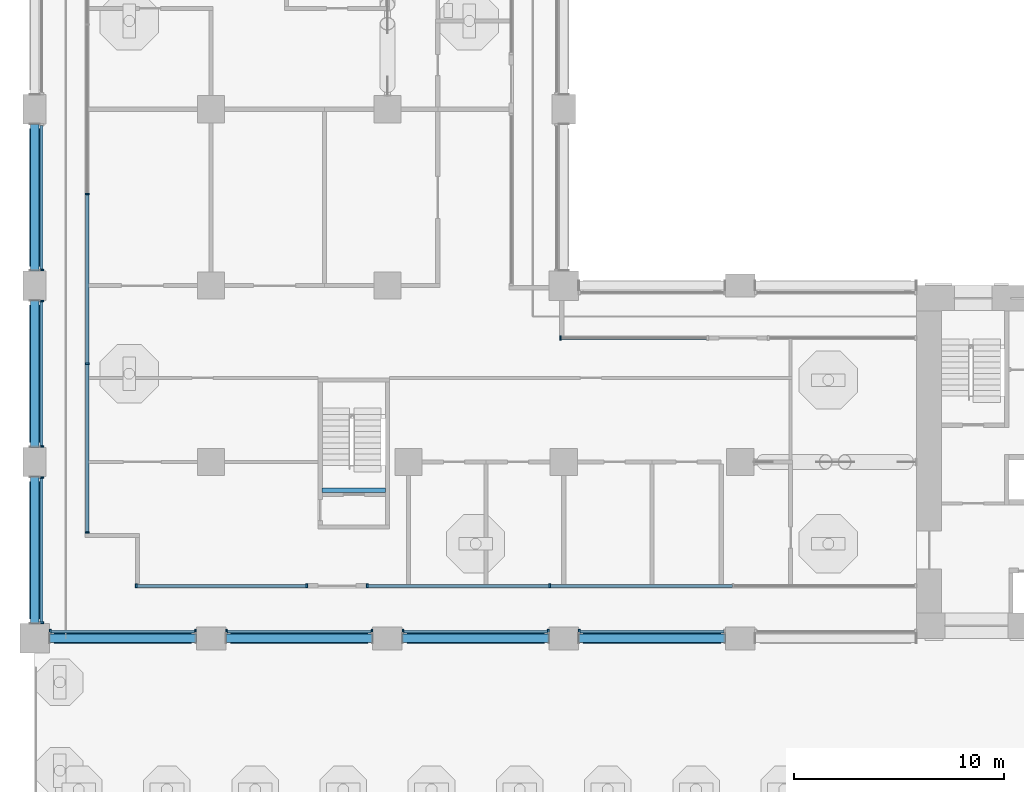
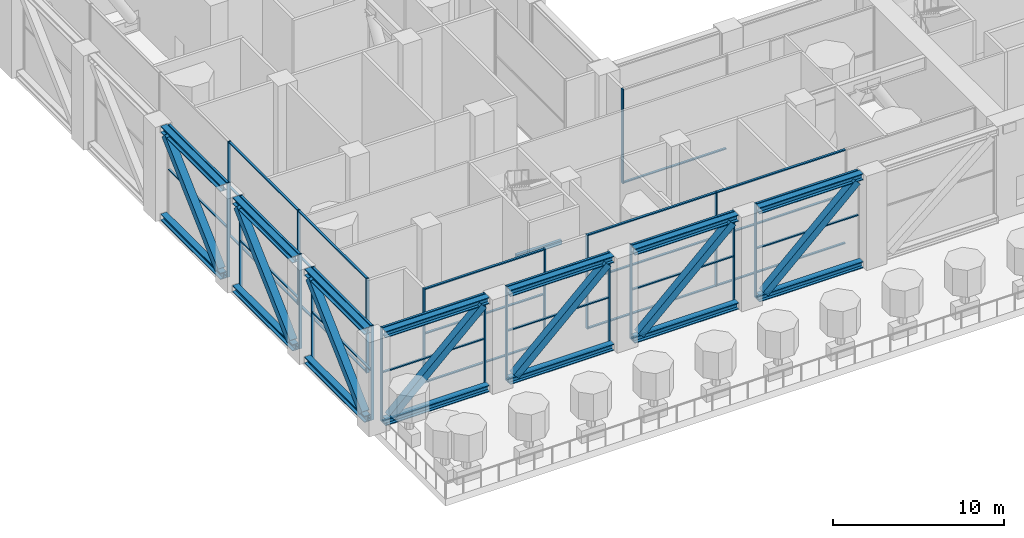
# One storey, part 2 of 28: 78 members, 1 beam, 11 elements without a shape of their own.
"""IFC4 building model written with IfcOpenShell, lengths in metres."""

import ifcopenshell
import ifcopenshell.guid

model = None  # the IFC model being written
_history = None  # IfcOwnerHistory: only IFC2X3 demands one
_inside = {}  # id of a spatial element -> (the spatial element, [elements in it])
_under = {}  # id of a project, library or spatial element -> (it, [spatial elements below it])
_declared = {}  # id of a project -> (the project, [libraries it declares])
_typed = {}  # id of a type object -> (the type object, [elements of that type])
_made_of = {}  # id of a material, layer set ... -> (it, [elements and type objects made of it])


def new_model(schema):
    """Start an empty IFC model of exactly this schema.

    Asked for "IFC4X3", IfcOpenShell would pick the latest addendum, in which some entities
    have other attributes; the version numbers below select the first issue.
    IFC2X3 requires an IfcOwnerHistory on every rooted entity: one is made here for all.
    """
    global model, _history
    if schema == "IFC4X3":
        model = ifcopenshell.file(schema_version=(4, 3, 0, 0))
    else:
        model = ifcopenshell.file(schema=schema)
    _inside.clear()
    _under.clear()
    _declared.clear()
    _typed.clear()
    _made_of.clear()
    _history = None
    if model.schema == "IFC2X3":
        org = make("IfcOrganization", Name="unknown")
        user = make(
            "IfcPersonAndOrganization",
            ThePerson=make("IfcPerson", FamilyName="unknown"),
            TheOrganization=org,
        )
        app = make(
            "IfcApplication",
            ApplicationDeveloper=org,
            Version="unknown",
            ApplicationFullName="unknown",
            ApplicationIdentifier="unknown",
        )
        _history = make(
            "IfcOwnerHistory",
            OwningUser=user,
            OwningApplication=app,
            ChangeAction="ADDED",
            CreationDate=0,
        )
    return model


def make(cls, **values):
    """One entity of the class cls with the attributes given. An attribute that is None is left unset."""
    return model.create_entity(
        cls, **{name: value for name, value in values.items() if value is not None}
    )


def rooted(cls, **values):
    """An entity with a GlobalId (a new one), such as an element, a storey or a relation."""
    return make(cls, GlobalId=ifcopenshell.guid.new(), OwnerHistory=_history, **values)


def si_unit(unit_type, name, prefix=None):
    """IfcSIUnit, for example si_unit("LENGTHUNIT", "METRE", prefix="MILLI")."""
    return make("IfcSIUnit", UnitType=unit_type, Prefix=prefix, Name=name)


def assignment(units):
    """IfcUnitAssignment: the units of a project."""
    return None if units is None else make("IfcUnitAssignment", Units=units)


def point(xyz):
    """IfcCartesianPoint."""
    return None if xyz is None else make("IfcCartesianPoint", Coordinates=xyz)


def direction(xyz):
    """IfcDirection."""
    return None if xyz is None else make("IfcDirection", DirectionRatios=xyz)


def frame(location, z_axis=None, x_axis=None):
    """IfcAxis2Placement3D, a coordinate frame: its origin and axes. An axis left out is left unset."""
    return make(
        "IfcAxis2Placement3D",
        Location=point(location),
        Axis=direction(z_axis),
        RefDirection=direction(x_axis),
    )


def frame_2d(location, x_axis=None):
    """IfcAxis2Placement2D, a coordinate frame in the plane: its origin and x axis."""
    return make(
        "IfcAxis2Placement2D", Location=point(location), RefDirection=direction(x_axis)
    )


def origin():
    """The frame at (0, 0, 0) with its axes left unset."""
    return frame((0.0, 0.0, 0.0))


def origin_2d():
    """The frame at (0, 0) in the plane with its x axis left unset."""
    return frame_2d((0.0, 0.0))


def place(relative_to, where):
    """IfcLocalPlacement: puts the frame where relative to a parent placement (None: the world)."""
    return make(
        "IfcLocalPlacement", PlacementRelTo=relative_to, RelativePlacement=where
    )


def context(
    kind, dimensions, precision=None, world=None, true_north=None, identifier=None
):
    """IfcGeometricRepresentationContext, for example the 3D "Model" context."""
    return make(
        "IfcGeometricRepresentationContext",
        ContextIdentifier=identifier,
        ContextType=kind,
        CoordinateSpaceDimension=dimensions,
        Precision=precision,
        WorldCoordinateSystem=world,
        TrueNorth=true_north,
    )


def subcontext(parent, identifier, kind, view, scale=None):
    """IfcGeometricRepresentationSubContext, for example "Body" below "Model"."""
    return make(
        "IfcGeometricRepresentationSubContext",
        ContextIdentifier=identifier,
        ContextType=kind,
        ParentContext=parent,
        TargetScale=scale,
        TargetView=view,
    )


def project(units=None, contexts=None):
    """IfcProject with its units and contexts."""
    return rooted(
        "IfcProject",
        Name="project",
        RepresentationContexts=contexts,
        UnitsInContext=assignment(units),
    )


def spatial(cls, under=None, at=None, **own):
    """A site, building, storey or space (cls), placed at a placement, below another one or the project."""
    s = rooted(cls, ObjectPlacement=at, **own)
    if under is not None:
        _under.setdefault(under.id(), (under, []))[1].append(s)
    return s


def profile(cls, at=None, kind="AREA", **sizes):
    """A parametric profile (cls). Its sizes go by their IFC names, for example OverallWidth=200.0."""
    return make(cls, ProfileType=kind, Position=at, **sizes)


def rectangle(**sizes):
    """IfcRectangleProfileDef."""
    return profile("IfcRectangleProfileDef", **sizes)


def hollow_rectangle(**sizes):
    """IfcRectangleHollowProfileDef."""
    return profile("IfcRectangleHollowProfileDef", **sizes)


def i_section(**sizes):
    """IfcIShapeProfileDef."""
    return profile("IfcIShapeProfileDef", **sizes)


def extrude(swept, where, along, depth):
    """IfcExtrudedAreaSolid: the profile swept, set in the frame where, extruded along a direction by depth."""
    return make(
        "IfcExtrudedAreaSolid",
        SweptArea=swept,
        Position=where,
        ExtrudedDirection=direction(along),
        Depth=depth,
    )


def shape(context_of_items, identifier, shape_type, items):
    """IfcShapeRepresentation: the items that make up one representation, for example the "Body"."""
    return make(
        "IfcShapeRepresentation",
        ContextOfItems=context_of_items,
        RepresentationIdentifier=identifier,
        RepresentationType=shape_type,
        Items=items,
    )


def material(Name=None, Category=None):
    """IfcMaterial."""
    return make("IfcMaterial", Name=Name, Category=Category)


def material_profile(
    of_material, cross_section, Name=None, Category=None, Priority=None
):
    """IfcMaterialProfile: a cross section and its material."""
    return make(
        "IfcMaterialProfile",
        Name=Name,
        Material=of_material,
        Profile=cross_section,
        Priority=Priority,
        Category=Category,
    )


def profile_set(profiles, Name=None, composite=None):
    """IfcMaterialProfileSet."""
    return make(
        "IfcMaterialProfileSet",
        Name=Name,
        MaterialProfiles=profiles,
        CompositeProfile=composite,
    )


def made_of(thing, what):
    """Note that an element or type object is made of a material, layer set ...; save() writes the relation."""
    if what is not None:
        _made_of.setdefault(what.id(), (what, []))[1].append(thing)
    return thing


def type_object(cls, material=None, **own):
    """A type object (cls), such as IfcWallType, which elements share."""
    return made_of(rooted(cls, **own), material)


def element(
    cls,
    number,
    at=None,
    inside=None,
    cuts=None,
    type_object=None,
    material=None,
    context=None,
    identifier="Body",
    shape_type=None,
    held_by="IfcProductDefinitionShape",
    body=None,
    shapes=None,
    **own,
):
    """One element of the class cls, such as IfcWall. Its Tag is "e" and its number.

    at: its placement. inside: the storey or other place that contains it. cuts: it is an
    opening in that element (IfcRelVoidsElement). A single representation is given by context,
    identifier, shape_type and body (its items); several are given by shapes. held_by: the class
    of the entity that holds the representations. save() writes the other relations.
    """
    e = rooted(cls, Tag="e%d" % number, ObjectPlacement=at, **own)
    if body is not None:
        shapes = [shape(context, identifier, shape_type, body)]
    if shapes is not None:
        e.Representation = make(held_by, Representations=shapes)
    if inside is not None:
        _inside.setdefault(inside.id(), (inside, []))[1].append(e)
    if cuts is not None:
        rooted(
            "IfcRelVoidsElement", RelatingBuildingElement=cuts, RelatedOpeningElement=e
        )
    if type_object is not None:
        _typed.setdefault(type_object.id(), (type_object, []))[1].append(e)
    return made_of(e, material)


def aggregate(whole, parts):
    """IfcRelAggregates: a whole, such as a stair, and the parts it consists of."""
    return rooted("IfcRelAggregates", RelatingObject=whole, RelatedObjects=parts)


def save(model, path):
    """Write the relations noted so far, then the file.

    IfcRelAggregates (storeys below a building ...), IfcRelContainedInSpatialStructure (elements
    in a storey), IfcRelDefinesByType, IfcRelAssociatesMaterial and IfcRelDeclares: one each for
    every whole, place, type object, material and project.
    """
    for whole, parts in _under.values():
        aggregate(whole, parts)
    for where, things in _inside.values():
        rooted(
            "IfcRelContainedInSpatialStructure",
            RelatedElements=things,
            RelatingStructure=where,
        )
    for kind, things in _typed.values():
        rooted("IfcRelDefinesByType", RelatedObjects=things, RelatingType=kind)
    for what, things in _made_of.values():
        rooted("IfcRelAssociatesMaterial", RelatedObjects=things, RelatingMaterial=what)
    for by, libraries in _declared.values():
        rooted("IfcRelDeclares", RelatingContext=by, RelatedDefinitions=libraries)
    model.write(path)


model = new_model("IFC4")

# Units and contexts
model_context = context("Model", 3, precision=1e-05, world=origin(), true_north=direction((0.0, 1.0)))
body_context = subcontext(model_context, "Body", "Model", "MODEL_VIEW")
ifc_project = project(units=[si_unit("LENGTHUNIT", "METRE"), si_unit("AREAUNIT", "SQUARE_METRE"), si_unit("VOLUMEUNIT", "CUBIC_METRE"), si_unit("PLANEANGLEUNIT", "RADIAN"), si_unit("MASSUNIT", "GRAM", prefix="KILO")], contexts=[model_context])

# Site, building, storey
site_placement = place(None, origin())
site = spatial("IfcSite", under=ifc_project, at=site_placement, CompositionType="ELEMENT")
building_placement = place(site_placement, origin())
building = spatial("IfcBuilding", under=site, at=building_placement, Name="Vermilion Gate Residences", CompositionType="ELEMENT")
storey_placement = place(building_placement, frame((0.0, 0.0, 74.199951171875)))
storey = spatial("IfcBuildingStorey", under=building, at=storey_placement, Name="L18", CompositionType="ELEMENT", Elevation=74.199951171875)

# Beam
ifc_material_1 = material(Name="Concrete C50", Category="concrete")
ifc_material_profile_1 = material_profile(ifc_material_1, rectangle(XDim=0.199951171875, YDim=0.300048828125, at=origin_2d()), Name="RC-200x300")
ifc_profile_set_1 = profile_set([ifc_material_profile_1], Name="Concrete C50")
beam_type = type_object("IfcBeamType", Name="RC LANDING BEAM 200 X 300 C50", PredefinedType="BEAM", material=ifc_profile_set_1)
beam_placement = place(storey_placement, frame((13.679931640625, 15.449951171875, 3.150146484375), z_axis=(1.0, 0.0, 0.0), x_axis=(0.0, 1.0, 0.0)))
element("IfcBeam", 1, at=beam_placement, inside=storey, type_object=beam_type, Name="Landing beam STC1-18 2", PredefinedType="BEAM", context=body_context, shape_type="SweptSolid", body=[
    extrude(rectangle(XDim=0.199951171875, YDim=0.300048828125, at=origin_2d()), origin(), (0.0, 0.0, 1.0), 3.0400390625),
])

# Curtain wall, members
ifc_material_2 = material(Name="Aluminium and glass", Category="aluminium")
curtain_wall_type = type_object("IfcCurtainWallType", Name="SKY GARDEN GLAZING CURTAIN WALL", PredefinedType="NOTDEFINED", material=ifc_material_2)
curtain_wall_1_placement = place(storey_placement, origin())
curtain_wall_1 = element("IfcCurtainWall", 2, at=curtain_wall_1_placement, inside=storey, type_object=curtain_wall_type, Name="Sky Garden Glazing 30", PredefinedType="NOTDEFINED")
ifc_material_3 = material(Name="Aluminium", Category="aluminium")
ifc_material_profile_2 = material_profile(ifc_material_3, rectangle(XDim=0.199951171875, YDim=0.080078125, at=origin_2d()), Name="MULLION 80 X 200")
ifc_profile_set_2 = profile_set([ifc_material_profile_2], Name="Aluminium")
member_type_1 = type_object("IfcMemberType", Name="SKY GARDEN GLAZING MULLION 80 X 200", PredefinedType="MULLION", material=ifc_profile_set_2)
member_1_placement = place(storey_placement, frame((2.5, 29.56005859375, 0.0), z_axis=(0.0, 0.0, 1.0), x_axis=(1.0, 0.0, 0.0)))
member_1 = element("IfcMember", 3, at=member_1_placement, type_object=member_type_1, Name="ECW3 mullion 4", PredefinedType="MULLION", context=body_context, shape_type="SweptSolid", body=[
    extrude(rectangle(XDim=0.199951171875, YDim=0.080078125, at=origin_2d()), origin(), (0.0, 0.0, 1.0), 6.719970703125),
])
member_2_placement = place(storey_placement, frame((2.5, 21.47998046875, 0.0), z_axis=(0.0, 0.0, 1.0), x_axis=(1.0, 0.0, 0.0)))
member_2 = element("IfcMember", 4, at=member_2_placement, type_object=member_type_1, Name="ECW3 mullion 5", PredefinedType="MULLION", context=body_context, shape_type="SweptSolid", body=[
    extrude(rectangle(XDim=0.199951171875, YDim=0.080078125, at=origin_2d()), origin(), (0.0, 0.0, 1.0), 6.719970703125),
])
member_3_placement = place(storey_placement, frame((2.5, 13.43994140625, 0.0), z_axis=(0.0, 0.0, 1.0), x_axis=(1.0, 0.0, 0.0)))
member_3 = element("IfcMember", 5, at=member_3_placement, type_object=member_type_1, Name="ECW3 mullion 6", PredefinedType="MULLION", context=body_context, shape_type="SweptSolid", body=[
    extrude(rectangle(XDim=0.199951171875, YDim=0.080078125, at=origin_2d()), origin(), (0.0, 0.0, 1.0), 6.719970703125),
])

curtain_wall_2_placement = place(storey_placement, origin())
curtain_wall_2 = element("IfcCurtainWall", 6, at=curtain_wall_2_placement, inside=storey, type_object=curtain_wall_type, Name="Sky Garden Glazing 60", PredefinedType="NOTDEFINED")
member_4_placement = place(storey_placement, frame((4.840087890625, 10.89990234375, 0.0), z_axis=(0.0, 0.0, 1.0), x_axis=(0.0, 1.0, 0.0)))
member_4 = element("IfcMember", 7, at=member_4_placement, type_object=member_type_1, Name="ECW3 mullion 1", PredefinedType="MULLION", context=body_context, shape_type="SweptSolid", body=[
    extrude(rectangle(XDim=0.199951171875, YDim=0.080078125, at=origin_2d()), origin(), (0.0, 0.0, 1.0), 6.719970703125),
])
member_5_placement = place(storey_placement, frame((12.9599609375, 10.89990234375, 0.0), z_axis=(0.0, 0.0, 1.0), x_axis=(0.0, 1.0, 0.0)))
member_5 = element("IfcMember", 8, at=member_5_placement, type_object=member_type_1, Name="ECW3 mullion 2", PredefinedType="MULLION", context=body_context, shape_type="SweptSolid", body=[
    extrude(rectangle(XDim=0.199951171875, YDim=0.080078125, at=origin_2d()), origin(), (0.0, 0.0, 1.0), 6.719970703125),
])

curtain_wall_3_placement = place(storey_placement, origin())
curtain_wall_3 = element("IfcCurtainWall", 9, at=curtain_wall_3_placement, inside=storey, type_object=curtain_wall_type, Name="Sky Garden Glazing 62", PredefinedType="NOTDEFINED")
member_6_placement = place(storey_placement, frame((15.840087890625, 10.89990234375, 0.0), z_axis=(0.0, 0.0, 1.0), x_axis=(0.0, 1.0, 0.0)))
member_6 = element("IfcMember", 10, at=member_6_placement, type_object=member_type_1, Name="ECW3 mullion 1", PredefinedType="MULLION", context=body_context, shape_type="SweptSolid", body=[
    extrude(rectangle(XDim=0.199951171875, YDim=0.080078125, at=origin_2d()), origin(), (0.0, 0.0, 1.0), 6.719970703125),
])
member_7_placement = place(storey_placement, frame((24.533447265625, 10.89990234375, 0.0), z_axis=(0.0, 0.0, 1.0), x_axis=(0.0, 1.0, 0.0)))
member_7 = element("IfcMember", 11, at=member_7_placement, type_object=member_type_1, Name="ECW3 mullion 2", PredefinedType="MULLION", context=body_context, shape_type="SweptSolid", body=[
    extrude(rectangle(XDim=0.199951171875, YDim=0.080078125, at=origin_2d()), origin(), (0.0, 0.0, 1.0), 6.719970703125),
])

# Curtain wall, member
curtain_wall_4_placement = place(storey_placement, origin())
curtain_wall_4 = element("IfcCurtainWall", 12, at=curtain_wall_4_placement, inside=storey, type_object=curtain_wall_type, Name="Sky Garden Glazing 142", PredefinedType="NOTDEFINED")
member_8_placement = place(storey_placement, frame((25.0400390625, 22.699951171875, 0.0), z_axis=(0.0, 0.0, 1.0), x_axis=(0.0, -1.0, 0.0)))
member_8 = element("IfcMember", 13, at=member_8_placement, type_object=member_type_1, Name="ECW3 mullion 2", PredefinedType="MULLION", context=body_context, shape_type="SweptSolid", body=[
    extrude(rectangle(XDim=0.199951171875, YDim=0.080078125, at=origin_2d()), origin(), (0.0, 0.0, 1.0), 6.719970703125),
])

curtain_wall_5_placement = place(storey_placement, origin())
curtain_wall_5 = element("IfcCurtainWall", 14, at=curtain_wall_5_placement, inside=storey, type_object=curtain_wall_type, Name="Sky Garden Glazing 503", PredefinedType="NOTDEFINED")
member_9_placement = place(storey_placement, frame((0.330078125, 25.93994140625, 0.0), z_axis=(0.0, 0.0, 1.0), x_axis=(1.0, 0.0, 0.0)))
member_9 = element("IfcMember", 15, at=member_9_placement, type_object=member_type_1, Name="ECW3 mullion 2", PredefinedType="MULLION", context=body_context, shape_type="SweptSolid", body=[
    extrude(rectangle(XDim=0.199951171875, YDim=0.080078125, at=origin_2d()), origin(), (0.0, 0.0, 1.0), 6.719970703125),
])

# Curtain wall, members
curtain_wall_6_placement = place(storey_placement, origin())
curtain_wall_6 = element("IfcCurtainWall", 16, at=curtain_wall_6_placement, inside=storey, type_object=curtain_wall_type, Name="Sky Garden Glazing 504", PredefinedType="NOTDEFINED")
member_10_placement = place(storey_placement, frame((0.330078125, 24.4599609375, 0.0), z_axis=(0.0, 0.0, 1.0), x_axis=(1.0, 0.0, 0.0)))
member_10 = element("IfcMember", 17, at=member_10_placement, type_object=member_type_1, Name="ECW3 mullion 1", PredefinedType="MULLION", context=body_context, shape_type="SweptSolid", body=[
    extrude(rectangle(XDim=0.199951171875, YDim=0.080078125, at=origin_2d()), origin(), (0.0, 0.0, 1.0), 6.719970703125),
])
member_11_placement = place(storey_placement, frame((0.330078125, 17.5400390625, 0.0), z_axis=(0.0, 0.0, 1.0), x_axis=(1.0, 0.0, 0.0)))
member_11 = element("IfcMember", 18, at=member_11_placement, type_object=member_type_1, Name="ECW3 mullion 2", PredefinedType="MULLION", context=body_context, shape_type="SweptSolid", body=[
    extrude(rectangle(XDim=0.199951171875, YDim=0.080078125, at=origin_2d()), origin(), (0.0, 0.0, 1.0), 6.719970703125),
])

curtain_wall_7_placement = place(storey_placement, origin())
curtain_wall_7 = element("IfcCurtainWall", 19, at=curtain_wall_7_placement, inside=storey, type_object=curtain_wall_type, Name="Sky Garden Glazing 505", PredefinedType="NOTDEFINED")
member_12_placement = place(storey_placement, frame((0.330078125, 16.06005859375, 0.0), z_axis=(0.0, 0.0, 1.0), x_axis=(1.0, 0.0, 0.0)))
member_12 = element("IfcMember", 20, at=member_12_placement, type_object=member_type_1, Name="ECW3 mullion 1", PredefinedType="MULLION", context=body_context, shape_type="SweptSolid", body=[
    extrude(rectangle(XDim=0.199951171875, YDim=0.080078125, at=origin_2d()), origin(), (0.0, 0.0, 1.0), 6.719970703125),
])
member_13_placement = place(storey_placement, frame((0.330078125, 9.139892578125, 0.0), z_axis=(0.0, 0.0, 1.0), x_axis=(1.0, 0.0, 0.0)))
member_13 = element("IfcMember", 21, at=member_13_placement, type_object=member_type_1, Name="ECW3 mullion 2", PredefinedType="MULLION", context=body_context, shape_type="SweptSolid", body=[
    extrude(rectangle(XDim=0.199951171875, YDim=0.080078125, at=origin_2d()), origin(), (0.0, 0.0, 1.0), 6.719970703125),
])

curtain_wall_8_placement = place(storey_placement, origin())
curtain_wall_8 = element("IfcCurtainWall", 22, at=curtain_wall_8_placement, inside=storey, type_object=curtain_wall_type, Name="Sky Garden Glazing 506", PredefinedType="NOTDEFINED")
member_14_placement = place(storey_placement, frame((0.739990234375, 8.72998046875, 0.0), z_axis=(0.0, 0.0, 1.0), x_axis=(0.0, 1.0, 0.0)))
member_14 = element("IfcMember", 23, at=member_14_placement, type_object=member_type_1, Name="ECW3 mullion 1", PredefinedType="MULLION", context=body_context, shape_type="SweptSolid", body=[
    extrude(rectangle(XDim=0.199951171875, YDim=0.080078125, at=origin_2d()), origin(), (0.0, 0.0, 1.0), 6.719970703125),
])
member_15_placement = place(storey_placement, frame((7.659912109375, 8.72998046875, 0.0), z_axis=(0.0, 0.0, 1.0), x_axis=(0.0, 1.0, 0.0)))
member_15 = element("IfcMember", 24, at=member_15_placement, type_object=member_type_1, Name="ECW3 mullion 2", PredefinedType="MULLION", context=body_context, shape_type="SweptSolid", body=[
    extrude(rectangle(XDim=0.199951171875, YDim=0.080078125, at=origin_2d()), origin(), (0.0, 0.0, 1.0), 6.719970703125),
])

curtain_wall_9_placement = place(storey_placement, origin())
curtain_wall_9 = element("IfcCurtainWall", 25, at=curtain_wall_9_placement, inside=storey, type_object=curtain_wall_type, Name="Sky Garden Glazing 507", PredefinedType="NOTDEFINED")
member_16_placement = place(storey_placement, frame((9.139892578125, 8.72998046875, 0.0), z_axis=(0.0, 0.0, 1.0), x_axis=(0.0, 1.0, 0.0)))
member_16 = element("IfcMember", 26, at=member_16_placement, type_object=member_type_1, Name="ECW3 mullion 1", PredefinedType="MULLION", context=body_context, shape_type="SweptSolid", body=[
    extrude(rectangle(XDim=0.199951171875, YDim=0.080078125, at=origin_2d()), origin(), (0.0, 0.0, 1.0), 6.719970703125),
])
member_17_placement = place(storey_placement, frame((16.06005859375, 8.72998046875, 0.0), z_axis=(0.0, 0.0, 1.0), x_axis=(0.0, 1.0, 0.0)))
member_17 = element("IfcMember", 27, at=member_17_placement, type_object=member_type_1, Name="ECW3 mullion 2", PredefinedType="MULLION", context=body_context, shape_type="SweptSolid", body=[
    extrude(rectangle(XDim=0.199951171875, YDim=0.080078125, at=origin_2d()), origin(), (0.0, 0.0, 1.0), 6.719970703125),
])

curtain_wall_10_placement = place(storey_placement, origin())
curtain_wall_10 = element("IfcCurtainWall", 28, at=curtain_wall_10_placement, inside=storey, type_object=curtain_wall_type, Name="Sky Garden Glazing 508", PredefinedType="NOTDEFINED")
member_18_placement = place(storey_placement, frame((17.5400390625, 8.72998046875, 0.0), z_axis=(0.0, 0.0, 1.0), x_axis=(0.0, 1.0, 0.0)))
member_18 = element("IfcMember", 29, at=member_18_placement, type_object=member_type_1, Name="ECW3 mullion 1", PredefinedType="MULLION", context=body_context, shape_type="SweptSolid", body=[
    extrude(rectangle(XDim=0.199951171875, YDim=0.080078125, at=origin_2d()), origin(), (0.0, 0.0, 1.0), 6.719970703125),
])
member_19_placement = place(storey_placement, frame((24.4599609375, 8.72998046875, 0.0), z_axis=(0.0, 0.0, 1.0), x_axis=(0.0, 1.0, 0.0)))
member_19 = element("IfcMember", 30, at=member_19_placement, type_object=member_type_1, Name="ECW3 mullion 2", PredefinedType="MULLION", context=body_context, shape_type="SweptSolid", body=[
    extrude(rectangle(XDim=0.199951171875, YDim=0.080078125, at=origin_2d()), origin(), (0.0, 0.0, 1.0), 6.719970703125),
])

# Curtain wall, member
curtain_wall_11_placement = place(storey_placement, origin())
curtain_wall_11 = element("IfcCurtainWall", 31, at=curtain_wall_11_placement, inside=storey, type_object=curtain_wall_type, Name="Sky Garden Glazing 509", PredefinedType="NOTDEFINED")
member_20_placement = place(storey_placement, frame((25.93994140625, 8.72998046875, 0.0), z_axis=(0.0, 0.0, 1.0), x_axis=(0.0, 1.0, 0.0)))
member_20 = element("IfcMember", 32, at=member_20_placement, type_object=member_type_1, Name="ECW3 mullion 1", PredefinedType="MULLION", context=body_context, shape_type="SweptSolid", body=[
    extrude(rectangle(XDim=0.199951171875, YDim=0.080078125, at=origin_2d()), origin(), (0.0, 0.0, 1.0), 6.719970703125),
])

# Member
ifc_material_4 = material(Name="Aluminium", Category="aluminium")
ifc_material_profile_3 = material_profile(ifc_material_4, rectangle(XDim=0.14990234375, YDim=0.080078125, at=origin_2d()), Name="TRANSOM 80 X 150")
ifc_profile_set_3 = profile_set([ifc_material_profile_3], Name="Aluminium")
member_type_2 = type_object("IfcMemberType", Name="SKY GARDEN GLAZING TRANSOM 80 X 150", PredefinedType="MULLION", material=ifc_profile_set_3)
member_21_placement = place(storey_placement, frame((2.5, 29.52001953125, 0.0400390625), z_axis=(0.0, -1.0, 0.0), x_axis=(1.0, 0.0, 0.0)))
member_21 = element("IfcMember", 33, at=member_21_placement, type_object=member_type_2, Name="ECW3 transom 4.1", PredefinedType="MULLION", context=body_context, shape_type="SweptSolid", body=[
    extrude(rectangle(XDim=0.14990234375, YDim=0.080078125, at=origin_2d()), origin(), (0.0, 0.0, 1.0), 8.0),
])

member_22_placement = place(storey_placement, frame((2.5, 29.52001953125, 3.5), z_axis=(0.0, -1.0, 0.0), x_axis=(1.0, 0.0, 0.0)))
member_22 = element("IfcMember", 34, at=member_22_placement, type_object=member_type_2, Name="ECW3 transom 4.2", PredefinedType="MULLION", context=body_context, shape_type="SweptSolid", body=[
    extrude(rectangle(XDim=0.14990234375, YDim=0.080078125, at=origin_2d()), origin(), (0.0, 0.0, 1.0), 8.0),
])

member_23_placement = place(storey_placement, frame((2.5, 29.52001953125, 6.679931640625), z_axis=(0.0, -1.0, 0.0), x_axis=(1.0, 0.0, 0.0)))
member_23 = element("IfcMember", 35, at=member_23_placement, type_object=member_type_2, Name="ECW3 transom 4.3", PredefinedType="MULLION", context=body_context, shape_type="SweptSolid", body=[
    extrude(rectangle(XDim=0.14990234375, YDim=0.080078125, at=origin_2d()), origin(), (0.0, 0.0, 1.0), 8.0),
])

member_24_placement = place(storey_placement, frame((2.5, 21.43994140625, 0.0400390625), z_axis=(0.0, -1.0, 0.0), x_axis=(1.0, 0.0, 0.0)))
member_24 = element("IfcMember", 36, at=member_24_placement, type_object=member_type_2, Name="ECW3 transom 5.1", PredefinedType="MULLION", context=body_context, shape_type="SweptSolid", body=[
    extrude(rectangle(XDim=0.14990234375, YDim=0.080078125, at=origin_2d()), origin(), (0.0, 0.0, 1.0), 7.9599609375),
])

member_25_placement = place(storey_placement, frame((2.5, 21.43994140625, 3.5), z_axis=(0.0, -1.0, 0.0), x_axis=(1.0, 0.0, 0.0)))
member_25 = element("IfcMember", 37, at=member_25_placement, type_object=member_type_2, Name="ECW3 transom 5.2", PredefinedType="MULLION", context=body_context, shape_type="SweptSolid", body=[
    extrude(rectangle(XDim=0.14990234375, YDim=0.080078125, at=origin_2d()), origin(), (0.0, 0.0, 1.0), 7.9599609375),
])

member_26_placement = place(storey_placement, frame((2.5, 21.43994140625, 6.679931640625), z_axis=(0.0, -1.0, 0.0), x_axis=(1.0, 0.0, 0.0)))
member_26 = element("IfcMember", 38, at=member_26_placement, type_object=member_type_2, Name="ECW3 transom 5.3", PredefinedType="MULLION", context=body_context, shape_type="SweptSolid", body=[
    extrude(rectangle(XDim=0.14990234375, YDim=0.080078125, at=origin_2d()), origin(), (0.0, 0.0, 1.0), 7.9599609375),
])

aggregate(curtain_wall_1, [member_1, member_2, member_3, member_21, member_22, member_23, member_24, member_25, member_26])

member_27_placement = place(storey_placement, frame((4.8798828125, 10.89990234375, 0.0400390625), z_axis=(1.0, 0.0, 0.0), x_axis=(0.0, 1.0, 0.0)))
member_27 = element("IfcMember", 39, at=member_27_placement, type_object=member_type_2, Name="ECW3 transom 1.1", PredefinedType="MULLION", context=body_context, shape_type="SweptSolid", body=[
    extrude(rectangle(XDim=0.14990234375, YDim=0.080078125, at=origin_2d()), origin(), (0.0, 0.0, 1.0), 8.0400390625),
])

member_28_placement = place(storey_placement, frame((4.8798828125, 10.89990234375, 3.5), z_axis=(1.0, 0.0, 0.0), x_axis=(0.0, 1.0, 0.0)))
member_28 = element("IfcMember", 40, at=member_28_placement, type_object=member_type_2, Name="ECW3 transom 1.2", PredefinedType="MULLION", context=body_context, shape_type="SweptSolid", body=[
    extrude(rectangle(XDim=0.14990234375, YDim=0.080078125, at=origin_2d()), origin(), (0.0, 0.0, 1.0), 8.0400390625),
])

member_29_placement = place(storey_placement, frame((4.8798828125, 10.89990234375, 6.679931640625), z_axis=(1.0, 0.0, 0.0), x_axis=(0.0, 1.0, 0.0)))
member_29 = element("IfcMember", 41, at=member_29_placement, type_object=member_type_2, Name="ECW3 transom 1.3", PredefinedType="MULLION", context=body_context, shape_type="SweptSolid", body=[
    extrude(rectangle(XDim=0.14990234375, YDim=0.080078125, at=origin_2d()), origin(), (0.0, 0.0, 1.0), 8.0400390625),
])

aggregate(curtain_wall_2, [member_4, member_5, member_27, member_28, member_29])

member_30_placement = place(storey_placement, frame((15.8798828125, 10.89990234375, 0.0400390625), z_axis=(1.0, 0.0, 0.0), x_axis=(0.0, 1.0, 0.0)))
member_30 = element("IfcMember", 42, at=member_30_placement, type_object=member_type_2, Name="ECW3 transom 1.1", PredefinedType="MULLION", context=body_context, shape_type="SweptSolid", body=[
    extrude(rectangle(XDim=0.14990234375, YDim=0.080078125, at=origin_2d()), origin(), (0.0, 0.0, 1.0), 8.613525390625),
])

member_31_placement = place(storey_placement, frame((15.8798828125, 10.89990234375, 3.5), z_axis=(1.0, 0.0, 0.0), x_axis=(0.0, 1.0, 0.0)))
member_31 = element("IfcMember", 43, at=member_31_placement, type_object=member_type_2, Name="ECW3 transom 1.2", PredefinedType="MULLION", context=body_context, shape_type="SweptSolid", body=[
    extrude(rectangle(XDim=0.14990234375, YDim=0.080078125, at=origin_2d()), origin(), (0.0, 0.0, 1.0), 8.613525390625),
])

member_32_placement = place(storey_placement, frame((15.8798828125, 10.89990234375, 6.679931640625), z_axis=(1.0, 0.0, 0.0), x_axis=(0.0, 1.0, 0.0)))
member_32 = element("IfcMember", 44, at=member_32_placement, type_object=member_type_2, Name="ECW3 transom 1.3", PredefinedType="MULLION", context=body_context, shape_type="SweptSolid", body=[
    extrude(rectangle(XDim=0.14990234375, YDim=0.080078125, at=origin_2d()), origin(), (0.0, 0.0, 1.0), 8.613525390625),
])

member_33_placement = place(storey_placement, frame((24.5732421875, 10.89990234375, 0.0400390625), z_axis=(1.0, 0.0, 0.0), x_axis=(0.0, 1.0, 0.0)))
member_33 = element("IfcMember", 45, at=member_33_placement, type_object=member_type_2, Name="ECW3 transom 2.1", PredefinedType="MULLION", context=body_context, shape_type="SweptSolid", body=[
    extrude(rectangle(XDim=0.14990234375, YDim=0.080078125, at=origin_2d()), origin(), (0.0, 0.0, 1.0), 8.6533203125),
])

member_34_placement = place(storey_placement, frame((24.5732421875, 10.89990234375, 3.5), z_axis=(1.0, 0.0, 0.0), x_axis=(0.0, 1.0, 0.0)))
member_34 = element("IfcMember", 46, at=member_34_placement, type_object=member_type_2, Name="ECW3 transom 2.2", PredefinedType="MULLION", context=body_context, shape_type="SweptSolid", body=[
    extrude(rectangle(XDim=0.14990234375, YDim=0.080078125, at=origin_2d()), origin(), (0.0, 0.0, 1.0), 8.6533203125),
])

member_35_placement = place(storey_placement, frame((24.5732421875, 10.89990234375, 6.679931640625), z_axis=(1.0, 0.0, 0.0), x_axis=(0.0, 1.0, 0.0)))
member_35 = element("IfcMember", 47, at=member_35_placement, type_object=member_type_2, Name="ECW3 transom 2.3", PredefinedType="MULLION", context=body_context, shape_type="SweptSolid", body=[
    extrude(rectangle(XDim=0.14990234375, YDim=0.080078125, at=origin_2d()), origin(), (0.0, 0.0, 1.0), 8.6533203125),
])

aggregate(curtain_wall_3, [member_6, member_7, member_30, member_31, member_32, member_33, member_34, member_35])

member_36_placement = place(storey_placement, frame((32.02001953125, 22.699951171875, 0.0400390625), z_axis=(-1.0, 0.0, 0.0), x_axis=(0.0, -1.0, 0.0)))
member_36 = element("IfcMember", 48, at=member_36_placement, type_object=member_type_2, Name="ECW3 transom 1.1", PredefinedType="MULLION", context=body_context, shape_type="SweptSolid", body=[
    extrude(rectangle(XDim=0.14990234375, YDim=0.080078125, at=origin_2d()), origin(), (0.0, 0.0, 1.0), 6.93994140625),
])

aggregate(curtain_wall_4, [member_8, member_36])

member_37_placement = place(storey_placement, frame((0.330078125, 32.820068359375, 0.0400390625), z_axis=(0.0, -1.0, 0.0), x_axis=(1.0, 0.0, 0.0)))
member_37 = element("IfcMember", 49, at=member_37_placement, type_object=member_type_2, Name="ECW3 transom 1.1", PredefinedType="MULLION", context=body_context, shape_type="SweptSolid", body=[
    extrude(rectangle(XDim=0.14990234375, YDim=0.080078125, at=origin_2d()), origin(), (0.0, 0.0, 1.0), 6.840087890625),
])

member_38_placement = place(storey_placement, frame((0.330078125, 32.820068359375, 3.5), z_axis=(0.0, -1.0, 0.0), x_axis=(1.0, 0.0, 0.0)))
member_38 = element("IfcMember", 50, at=member_38_placement, type_object=member_type_2, Name="ECW3 transom 1.2", PredefinedType="MULLION", context=body_context, shape_type="SweptSolid", body=[
    extrude(rectangle(XDim=0.14990234375, YDim=0.080078125, at=origin_2d()), origin(), (0.0, 0.0, 1.0), 6.840087890625),
])

member_39_placement = place(storey_placement, frame((0.330078125, 32.820068359375, 6.679931640625), z_axis=(0.0, -1.0, 0.0), x_axis=(1.0, 0.0, 0.0)))
member_39 = element("IfcMember", 51, at=member_39_placement, type_object=member_type_2, Name="ECW3 transom 1.3", PredefinedType="MULLION", context=body_context, shape_type="SweptSolid", body=[
    extrude(rectangle(XDim=0.14990234375, YDim=0.080078125, at=origin_2d()), origin(), (0.0, 0.0, 1.0), 6.840087890625),
])

aggregate(curtain_wall_5, [member_9, member_37, member_38, member_39])

member_40_placement = place(storey_placement, frame((0.330078125, 24.419921875, 0.0400390625), z_axis=(0.0, -1.0, 0.0), x_axis=(1.0, 0.0, 0.0)))
member_40 = element("IfcMember", 52, at=member_40_placement, type_object=member_type_2, Name="ECW3 transom 1.1", PredefinedType="MULLION", context=body_context, shape_type="SweptSolid", body=[
    extrude(rectangle(XDim=0.14990234375, YDim=0.080078125, at=origin_2d()), origin(), (0.0, 0.0, 1.0), 6.83984375),
])

member_41_placement = place(storey_placement, frame((0.330078125, 24.419921875, 3.5), z_axis=(0.0, -1.0, 0.0), x_axis=(1.0, 0.0, 0.0)))
member_41 = element("IfcMember", 53, at=member_41_placement, type_object=member_type_2, Name="ECW3 transom 1.2", PredefinedType="MULLION", context=body_context, shape_type="SweptSolid", body=[
    extrude(rectangle(XDim=0.14990234375, YDim=0.080078125, at=origin_2d()), origin(), (0.0, 0.0, 1.0), 6.83984375),
])

member_42_placement = place(storey_placement, frame((0.330078125, 24.419921875, 6.679931640625), z_axis=(0.0, -1.0, 0.0), x_axis=(1.0, 0.0, 0.0)))
member_42 = element("IfcMember", 54, at=member_42_placement, type_object=member_type_2, Name="ECW3 transom 1.3", PredefinedType="MULLION", context=body_context, shape_type="SweptSolid", body=[
    extrude(rectangle(XDim=0.14990234375, YDim=0.080078125, at=origin_2d()), origin(), (0.0, 0.0, 1.0), 6.83984375),
])

aggregate(curtain_wall_6, [member_10, member_11, member_40, member_41, member_42])

member_43_placement = place(storey_placement, frame((0.330078125, 16.02001953125, 0.0400390625), z_axis=(0.0, -1.0, 0.0), x_axis=(1.0, 0.0, 0.0)))
member_43 = element("IfcMember", 55, at=member_43_placement, type_object=member_type_2, Name="ECW3 transom 1.1", PredefinedType="MULLION", context=body_context, shape_type="SweptSolid", body=[
    extrude(rectangle(XDim=0.14990234375, YDim=0.080078125, at=origin_2d()), origin(), (0.0, 0.0, 1.0), 6.840087890625),
])

member_44_placement = place(storey_placement, frame((0.330078125, 16.02001953125, 3.5), z_axis=(0.0, -1.0, 0.0), x_axis=(1.0, 0.0, 0.0)))
member_44 = element("IfcMember", 56, at=member_44_placement, type_object=member_type_2, Name="ECW3 transom 1.2", PredefinedType="MULLION", context=body_context, shape_type="SweptSolid", body=[
    extrude(rectangle(XDim=0.14990234375, YDim=0.080078125, at=origin_2d()), origin(), (0.0, 0.0, 1.0), 6.840087890625),
])

member_45_placement = place(storey_placement, frame((0.330078125, 16.02001953125, 6.679931640625), z_axis=(0.0, -1.0, 0.0), x_axis=(1.0, 0.0, 0.0)))
member_45 = element("IfcMember", 57, at=member_45_placement, type_object=member_type_2, Name="ECW3 transom 1.3", PredefinedType="MULLION", context=body_context, shape_type="SweptSolid", body=[
    extrude(rectangle(XDim=0.14990234375, YDim=0.080078125, at=origin_2d()), origin(), (0.0, 0.0, 1.0), 6.840087890625),
])

aggregate(curtain_wall_7, [member_12, member_13, member_43, member_44, member_45])

member_46_placement = place(storey_placement, frame((0.780029296875, 8.72998046875, 0.0400390625), z_axis=(1.0, 0.0, 0.0), x_axis=(0.0, 1.0, 0.0)))
member_46 = element("IfcMember", 58, at=member_46_placement, type_object=member_type_2, Name="ECW3 transom 1.1", PredefinedType="MULLION", context=body_context, shape_type="SweptSolid", body=[
    extrude(rectangle(XDim=0.14990234375, YDim=0.080078125, at=origin_2d()), origin(), (0.0, 0.0, 1.0), 6.840087890625),
])

member_47_placement = place(storey_placement, frame((0.780029296875, 8.72998046875, 3.5), z_axis=(1.0, 0.0, 0.0), x_axis=(0.0, 1.0, 0.0)))
member_47 = element("IfcMember", 59, at=member_47_placement, type_object=member_type_2, Name="ECW3 transom 1.2", PredefinedType="MULLION", context=body_context, shape_type="SweptSolid", body=[
    extrude(rectangle(XDim=0.14990234375, YDim=0.080078125, at=origin_2d()), origin(), (0.0, 0.0, 1.0), 6.840087890625),
])

member_48_placement = place(storey_placement, frame((0.780029296875, 8.72998046875, 6.679931640625), z_axis=(1.0, 0.0, 0.0), x_axis=(0.0, 1.0, 0.0)))
member_48 = element("IfcMember", 60, at=member_48_placement, type_object=member_type_2, Name="ECW3 transom 1.3", PredefinedType="MULLION", context=body_context, shape_type="SweptSolid", body=[
    extrude(rectangle(XDim=0.14990234375, YDim=0.080078125, at=origin_2d()), origin(), (0.0, 0.0, 1.0), 6.840087890625),
])

aggregate(curtain_wall_8, [member_14, member_15, member_46, member_47, member_48])

member_49_placement = place(storey_placement, frame((9.179931640625, 8.72998046875, 0.0400390625), z_axis=(1.0, 0.0, 0.0), x_axis=(0.0, 1.0, 0.0)))
member_49 = element("IfcMember", 61, at=member_49_placement, type_object=member_type_2, Name="ECW3 transom 1.1", PredefinedType="MULLION", context=body_context, shape_type="SweptSolid", body=[
    extrude(rectangle(XDim=0.14990234375, YDim=0.080078125, at=origin_2d()), origin(), (0.0, 0.0, 1.0), 6.840087890625),
])

member_50_placement = place(storey_placement, frame((9.179931640625, 8.72998046875, 3.5), z_axis=(1.0, 0.0, 0.0), x_axis=(0.0, 1.0, 0.0)))
member_50 = element("IfcMember", 62, at=member_50_placement, type_object=member_type_2, Name="ECW3 transom 1.2", PredefinedType="MULLION", context=body_context, shape_type="SweptSolid", body=[
    extrude(rectangle(XDim=0.14990234375, YDim=0.080078125, at=origin_2d()), origin(), (0.0, 0.0, 1.0), 6.840087890625),
])

member_51_placement = place(storey_placement, frame((9.179931640625, 8.72998046875, 6.679931640625), z_axis=(1.0, 0.0, 0.0), x_axis=(0.0, 1.0, 0.0)))
member_51 = element("IfcMember", 63, at=member_51_placement, type_object=member_type_2, Name="ECW3 transom 1.3", PredefinedType="MULLION", context=body_context, shape_type="SweptSolid", body=[
    extrude(rectangle(XDim=0.14990234375, YDim=0.080078125, at=origin_2d()), origin(), (0.0, 0.0, 1.0), 6.840087890625),
])

aggregate(curtain_wall_9, [member_16, member_17, member_49, member_50, member_51])

member_52_placement = place(storey_placement, frame((17.580078125, 8.72998046875, 0.0400390625), z_axis=(1.0, 0.0, 0.0), x_axis=(0.0, 1.0, 0.0)))
member_52 = element("IfcMember", 64, at=member_52_placement, type_object=member_type_2, Name="ECW3 transom 1.1", PredefinedType="MULLION", context=body_context, shape_type="SweptSolid", body=[
    extrude(rectangle(XDim=0.14990234375, YDim=0.080078125, at=origin_2d()), origin(), (0.0, 0.0, 1.0), 6.83984375),
])

member_53_placement = place(storey_placement, frame((17.580078125, 8.72998046875, 3.5), z_axis=(1.0, 0.0, 0.0), x_axis=(0.0, 1.0, 0.0)))
member_53 = element("IfcMember", 65, at=member_53_placement, type_object=member_type_2, Name="ECW3 transom 1.2", PredefinedType="MULLION", context=body_context, shape_type="SweptSolid", body=[
    extrude(rectangle(XDim=0.14990234375, YDim=0.080078125, at=origin_2d()), origin(), (0.0, 0.0, 1.0), 6.83984375),
])

member_54_placement = place(storey_placement, frame((17.580078125, 8.72998046875, 6.679931640625), z_axis=(1.0, 0.0, 0.0), x_axis=(0.0, 1.0, 0.0)))
member_54 = element("IfcMember", 66, at=member_54_placement, type_object=member_type_2, Name="ECW3 transom 1.3", PredefinedType="MULLION", context=body_context, shape_type="SweptSolid", body=[
    extrude(rectangle(XDim=0.14990234375, YDim=0.080078125, at=origin_2d()), origin(), (0.0, 0.0, 1.0), 6.83984375),
])

aggregate(curtain_wall_10, [member_18, member_19, member_52, member_53, member_54])

member_55_placement = place(storey_placement, frame((25.97998046875, 8.72998046875, 0.0400390625), z_axis=(1.0, 0.0, 0.0), x_axis=(0.0, 1.0, 0.0)))
member_55 = element("IfcMember", 67, at=member_55_placement, type_object=member_type_2, Name="ECW3 transom 1.1", PredefinedType="MULLION", context=body_context, shape_type="SweptSolid", body=[
    extrude(rectangle(XDim=0.14990234375, YDim=0.080078125, at=origin_2d()), origin(), (0.0, 0.0, 1.0), 6.840087890625),
])

member_56_placement = place(storey_placement, frame((25.97998046875, 8.72998046875, 3.5), z_axis=(1.0, 0.0, 0.0), x_axis=(0.0, 1.0, 0.0)))
member_56 = element("IfcMember", 68, at=member_56_placement, type_object=member_type_2, Name="ECW3 transom 1.2", PredefinedType="MULLION", context=body_context, shape_type="SweptSolid", body=[
    extrude(rectangle(XDim=0.14990234375, YDim=0.080078125, at=origin_2d()), origin(), (0.0, 0.0, 1.0), 6.840087890625),
])

member_57_placement = place(storey_placement, frame((25.97998046875, 8.72998046875, 6.679931640625), z_axis=(1.0, 0.0, 0.0), x_axis=(0.0, 1.0, 0.0)))
member_57 = element("IfcMember", 69, at=member_57_placement, type_object=member_type_2, Name="ECW3 transom 1.3", PredefinedType="MULLION", context=body_context, shape_type="SweptSolid", body=[
    extrude(rectangle(XDim=0.14990234375, YDim=0.080078125, at=origin_2d()), origin(), (0.0, 0.0, 1.0), 6.840087890625),
])

aggregate(curtain_wall_11, [member_20, member_55, member_56, member_57])

# Members
ifc_material_5 = material(Name="Steel SM490", Category="steel")
ifc_material_profile_4 = material_profile(ifc_material_5, i_section(OverallWidth=0.4169921875, OverallDepth=0.4580078125, WebThickness=0.030029296875, FlangeThickness=0.050048828125, at=origin_2d()), Name="H-458x417x30x50")
ifc_profile_set_4 = profile_set([ifc_material_profile_4], Name="Steel SM490")
member_type_3 = type_object("IfcMemberType", Name="STEEL BELT TRUSS CHORD H-458x417x30x50 SM490", PredefinedType="CHORD", material=ifc_profile_set_4)
for number, where, z_axis, x_axis, name in (
    (70, (0.699951171875, 8.39990234375, 0.22900390625), (1.0, 0.0, 0.0), (0.0, 1.0, 0.0), "Belt Truss chord bot L18 BELT1"),
    (71, (0.699951171875, 8.39990234375, 6.490966796875), (1.0, 0.0, 0.0), (0.0, 1.0, 0.0), "Belt Truss chord top L18 BELT1"),
    (72, (0.0, 9.10009765625, 0.22900390625), (0.0, 1.0, 0.0), (-1.0, 0.0, 0.0), "Belt Truss chord bot L18 BELT2"),
    (73, (0.0, 9.10009765625, 6.490966796875), (0.0, 1.0, 0.0), (-1.0, 0.0, 0.0), "Belt Truss chord top L18 BELT2"),
    (74, (0.0, 17.5, 0.22900390625), (0.0, 1.0, 0.0), (-1.0, 0.0, 0.0), "Belt Truss chord bot L18 BELT3"),
    (75, (0.0, 17.5, 6.490966796875), (0.0, 1.0, 0.0), (-1.0, 0.0, 0.0), "Belt Truss chord top L18 BELT3"),
    (76, (0.0, 25.89990234375, 0.22900390625), (0.0, 1.0, 0.0), (-1.0, 0.0, 0.0), "Belt Truss chord bot L18 BELT4"),
    (77, (0.0, 25.89990234375, 6.490966796875), (0.0, 1.0, 0.0), (-1.0, 0.0, 0.0), "Belt Truss chord top L18 BELT4"),
    (78, (9.10009765625, 8.39990234375, 0.22900390625), (1.0, 0.0, 0.0), (0.0, 1.0, 0.0), "Belt Truss chord bot L18 BELT9"),
    (79, (9.10009765625, 8.39990234375, 6.490966796875), (1.0, 0.0, 0.0), (0.0, 1.0, 0.0), "Belt Truss chord top L18 BELT9"),
    (80, (17.5, 8.39990234375, 0.22900390625), (1.0, 0.0, 0.0), (0.0, 1.0, 0.0), "Belt Truss chord bot L18 BELT10"),
    (81, (17.5, 8.39990234375, 6.490966796875), (1.0, 0.0, 0.0), (0.0, 1.0, 0.0), "Belt Truss chord top L18 BELT10"),
    (82, (25.89990234375, 8.39990234375, 0.22900390625), (1.0, 0.0, 0.0), (0.0, 1.0, 0.0), "Belt Truss chord bot L18 BELT13"),
    (83, (25.89990234375, 8.39990234375, 6.490966796875), (1.0, 0.0, 0.0), (0.0, 1.0, 0.0), "Belt Truss chord top L18 BELT13"),
):
    element("IfcMember", number, at=place(storey_placement, frame(where, z_axis=z_axis, x_axis=x_axis)), inside=storey, type_object=member_type_3, Name=name, PredefinedType="CHORD", context=body_context, shape_type="SweptSolid", body=[
        extrude(i_section(OverallWidth=0.4169921875, OverallDepth=0.4580078125, WebThickness=0.030029296875, FlangeThickness=0.050048828125, at=origin_2d()), origin(), (0.0, 0.0, 1.0), 7.0),
    ])
ifc_material_6 = material(Name="Steel SM490", Category="steel")
ifc_material_profile_5 = material_profile(ifc_material_6, hollow_rectangle(XDim=0.5, YDim=0.5, WallThickness=0.02197265625, at=origin_2d()), Name="BOX-500x500x22")
ifc_profile_set_5 = profile_set([ifc_material_profile_5], Name="Steel SM490")
member_type_4 = type_object("IfcMemberType", Name="STEEL BELT TRUSS DIAGONAL BOX-500x500x22 SM490", PredefinedType="BRACE", material=ifc_profile_set_5)
for number, where, z_axis, x_axis, name in (
    (84, (1.091796875, 8.39990234375, 0.4580078125), (0.730947389044, 0.0, 0.682433816901), (0.0, 1.0, 0.0), "Belt Truss diagonal L18 BELT1-1"),
    (85, (0.0, 9.49169921875, 0.4580078125), (0.0, 0.730947389044, 0.682433816901), (-1.0, 0.0, 0.0), "Belt Truss diagonal L18 BELT2-1"),
    (86, (0.0, 17.8916015625, 0.4580078125), (0.0, 0.730960757583, 0.682419497723), (-1.0, 0.0, 0.0), "Belt Truss diagonal L18 BELT3-1"),
    (87, (0.0, 26.291748046875, 0.4580078125), (0.0, 0.730947389044, 0.682433816901), (-1.0, 0.0, 0.0), "Belt Truss diagonal L18 BELT4-1"),
    (88, (9.49169921875, 8.39990234375, 0.4580078125), (0.730947389044, 0.0, 0.682433816901), (0.0, 1.0, 0.0), "Belt Truss diagonal L18 BELT9-1"),
    (89, (17.8916015625, 8.39990234375, 0.4580078125), (0.730960757583, 0.0, 0.682419497723), (0.0, 1.0, 0.0), "Belt Truss diagonal L18 BELT10-1"),
    (90, (26.291748046875, 8.39990234375, 0.4580078125), (0.730947389044, 0.0, 0.682433816901), (0.0, 1.0, 0.0), "Belt Truss diagonal L18 BELT13-1"),
):
    element("IfcMember", number, at=place(storey_placement, frame(where, z_axis=z_axis, x_axis=x_axis)), inside=storey, type_object=member_type_4, Name=name, PredefinedType="BRACE", context=body_context, shape_type="SweptSolid", body=[
        extrude(hollow_rectangle(XDim=0.5, YDim=0.5, WallThickness=0.02197265625, at=origin_2d()), origin(), (0.0, 0.0, 1.0), 8.5048828125),
    ])

save(model, "model.ifc")
